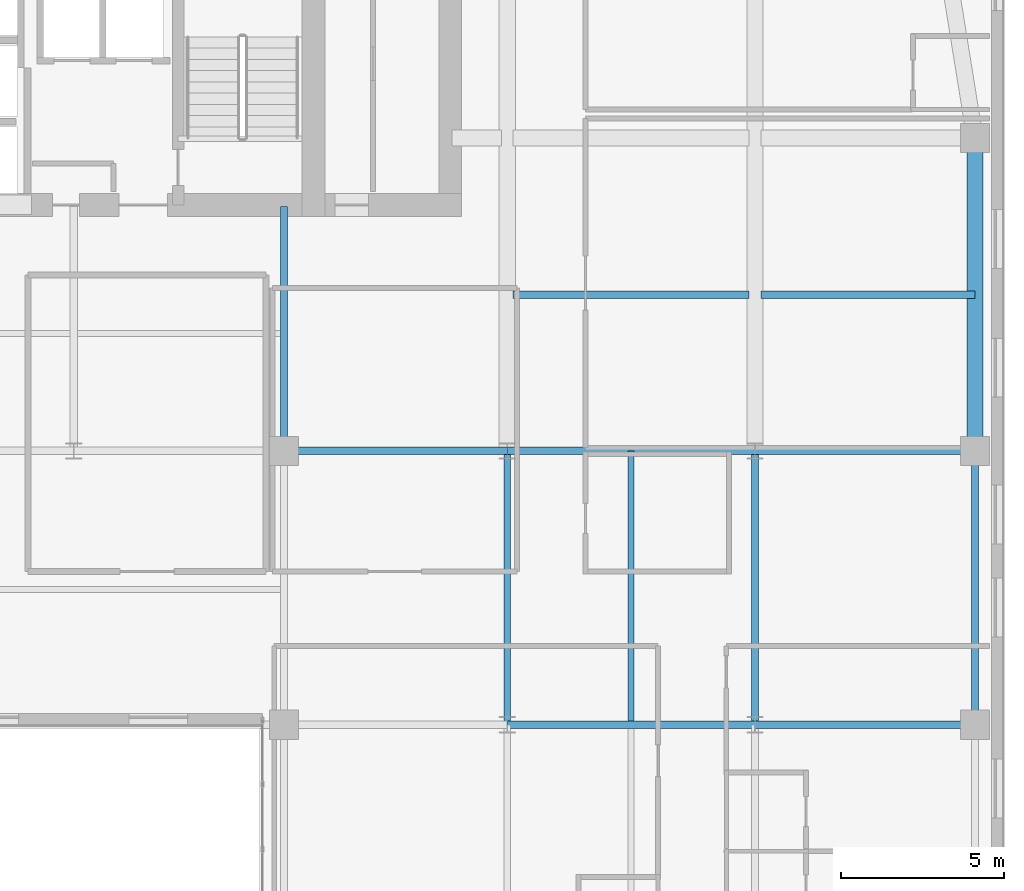
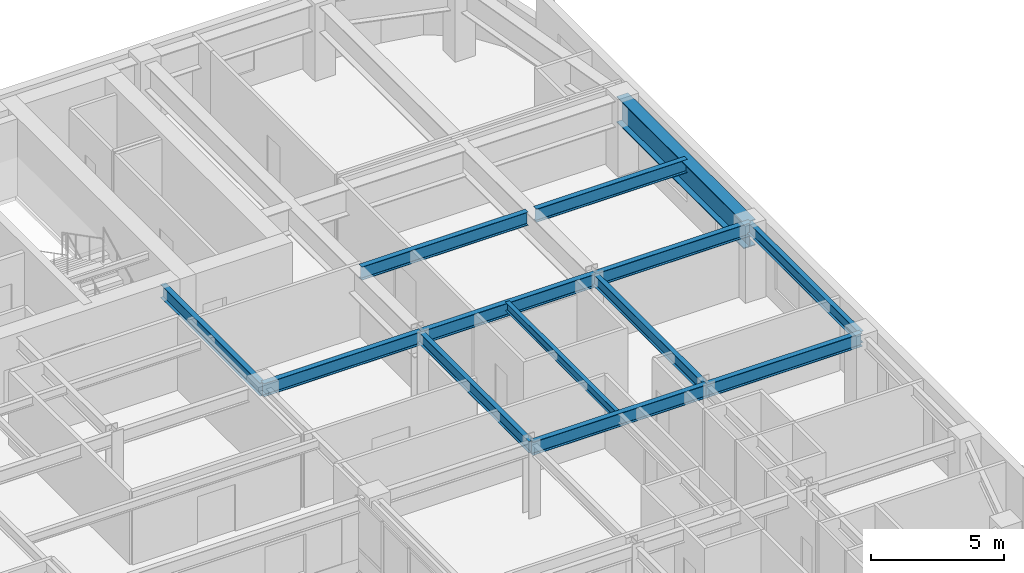
# One storey, part 19 of 37: 13 beams.
"""IFC4 building model written with IfcOpenShell, lengths in metres."""

import ifcopenshell
import ifcopenshell.guid

model = None  # the IFC model being written
_history = None  # IfcOwnerHistory: only IFC2X3 demands one
_inside = {}  # id of a spatial element -> (the spatial element, [elements in it])
_under = {}  # id of a project, library or spatial element -> (it, [spatial elements below it])
_declared = {}  # id of a project -> (the project, [libraries it declares])
_typed = {}  # id of a type object -> (the type object, [elements of that type])
_made_of = {}  # id of a material, layer set ... -> (it, [elements and type objects made of it])


def new_model(schema):
    """Start an empty IFC model of exactly this schema.

    Asked for "IFC4X3", IfcOpenShell would pick the latest addendum, in which some entities
    have other attributes; the version numbers below select the first issue.
    IFC2X3 requires an IfcOwnerHistory on every rooted entity: one is made here for all.
    """
    global model, _history
    if schema == "IFC4X3":
        model = ifcopenshell.file(schema_version=(4, 3, 0, 0))
    else:
        model = ifcopenshell.file(schema=schema)
    _inside.clear()
    _under.clear()
    _declared.clear()
    _typed.clear()
    _made_of.clear()
    _history = None
    if model.schema == "IFC2X3":
        org = make("IfcOrganization", Name="unknown")
        user = make(
            "IfcPersonAndOrganization",
            ThePerson=make("IfcPerson", FamilyName="unknown"),
            TheOrganization=org,
        )
        app = make(
            "IfcApplication",
            ApplicationDeveloper=org,
            Version="unknown",
            ApplicationFullName="unknown",
            ApplicationIdentifier="unknown",
        )
        _history = make(
            "IfcOwnerHistory",
            OwningUser=user,
            OwningApplication=app,
            ChangeAction="ADDED",
            CreationDate=0,
        )
    return model


def make(cls, **values):
    """One entity of the class cls with the attributes given. An attribute that is None is left unset."""
    return model.create_entity(
        cls, **{name: value for name, value in values.items() if value is not None}
    )


def rooted(cls, **values):
    """An entity with a GlobalId (a new one), such as an element, a storey or a relation."""
    return make(cls, GlobalId=ifcopenshell.guid.new(), OwnerHistory=_history, **values)


def si_unit(unit_type, name, prefix=None):
    """IfcSIUnit, for example si_unit("LENGTHUNIT", "METRE", prefix="MILLI")."""
    return make("IfcSIUnit", UnitType=unit_type, Prefix=prefix, Name=name)


def assignment(units):
    """IfcUnitAssignment: the units of a project."""
    return None if units is None else make("IfcUnitAssignment", Units=units)


def point(xyz):
    """IfcCartesianPoint."""
    return None if xyz is None else make("IfcCartesianPoint", Coordinates=xyz)


def direction(xyz):
    """IfcDirection."""
    return None if xyz is None else make("IfcDirection", DirectionRatios=xyz)


def frame(location, z_axis=None, x_axis=None):
    """IfcAxis2Placement3D, a coordinate frame: its origin and axes. An axis left out is left unset."""
    return make(
        "IfcAxis2Placement3D",
        Location=point(location),
        Axis=direction(z_axis),
        RefDirection=direction(x_axis),
    )


def frame_2d(location, x_axis=None):
    """IfcAxis2Placement2D, a coordinate frame in the plane: its origin and x axis."""
    return make(
        "IfcAxis2Placement2D", Location=point(location), RefDirection=direction(x_axis)
    )


def origin():
    """The frame at (0, 0, 0) with its axes left unset."""
    return frame((0.0, 0.0, 0.0))


def origin_2d():
    """The frame at (0, 0) in the plane with its x axis left unset."""
    return frame_2d((0.0, 0.0))


def place(relative_to, where):
    """IfcLocalPlacement: puts the frame where relative to a parent placement (None: the world)."""
    return make(
        "IfcLocalPlacement", PlacementRelTo=relative_to, RelativePlacement=where
    )


def context(
    kind, dimensions, precision=None, world=None, true_north=None, identifier=None
):
    """IfcGeometricRepresentationContext, for example the 3D "Model" context."""
    return make(
        "IfcGeometricRepresentationContext",
        ContextIdentifier=identifier,
        ContextType=kind,
        CoordinateSpaceDimension=dimensions,
        Precision=precision,
        WorldCoordinateSystem=world,
        TrueNorth=true_north,
    )


def subcontext(parent, identifier, kind, view, scale=None):
    """IfcGeometricRepresentationSubContext, for example "Body" below "Model"."""
    return make(
        "IfcGeometricRepresentationSubContext",
        ContextIdentifier=identifier,
        ContextType=kind,
        ParentContext=parent,
        TargetScale=scale,
        TargetView=view,
    )


def project(units=None, contexts=None):
    """IfcProject with its units and contexts."""
    return rooted(
        "IfcProject",
        Name="project",
        RepresentationContexts=contexts,
        UnitsInContext=assignment(units),
    )


def spatial(cls, under=None, at=None, **own):
    """A site, building, storey or space (cls), placed at a placement, below another one or the project."""
    s = rooted(cls, ObjectPlacement=at, **own)
    if under is not None:
        _under.setdefault(under.id(), (under, []))[1].append(s)
    return s


def profile(cls, at=None, kind="AREA", **sizes):
    """A parametric profile (cls). Its sizes go by their IFC names, for example OverallWidth=200.0."""
    return make(cls, ProfileType=kind, Position=at, **sizes)


def i_section(**sizes):
    """IfcIShapeProfileDef."""
    return profile("IfcIShapeProfileDef", **sizes)


def extrude(swept, where, along, depth):
    """IfcExtrudedAreaSolid: the profile swept, set in the frame where, extruded along a direction by depth."""
    return make(
        "IfcExtrudedAreaSolid",
        SweptArea=swept,
        Position=where,
        ExtrudedDirection=direction(along),
        Depth=depth,
    )


def shape(context_of_items, identifier, shape_type, items):
    """IfcShapeRepresentation: the items that make up one representation, for example the "Body"."""
    return make(
        "IfcShapeRepresentation",
        ContextOfItems=context_of_items,
        RepresentationIdentifier=identifier,
        RepresentationType=shape_type,
        Items=items,
    )


def source(mapping_origin, context_of_items, identifier, shape_type, items):
    """IfcRepresentationMap: a shape defined once, which mapped items show again and again."""
    return make(
        "IfcRepresentationMap",
        MappingOrigin=mapping_origin,
        MappedRepresentation=shape(context_of_items, identifier, shape_type, items),
    )


def transform(
    local_origin,
    x_axis=None,
    y_axis=None,
    z_axis=None,
    scale=None,
    scale2=None,
    scale3=None,
    uniform=True,
):
    """IfcCartesianTransformationOperator3D, or its non-uniform kind. x_axis, y_axis, z_axis: its Axis1, 2, 3."""
    if uniform:
        return make(
            "IfcCartesianTransformationOperator3D",
            Axis1=direction(x_axis),
            Axis2=direction(y_axis),
            LocalOrigin=point(local_origin),
            Scale=scale,
            Axis3=direction(z_axis),
        )
    return make(
        "IfcCartesianTransformationOperator3DnonUniform",
        Axis1=direction(x_axis),
        Axis2=direction(y_axis),
        LocalOrigin=point(local_origin),
        Scale=scale,
        Axis3=direction(z_axis),
        Scale2=scale2,
        Scale3=scale3,
    )


def mapped(mapping_source, mapping_target):
    """IfcMappedItem: shows the shape of a source again, moved by a transform."""
    return make(
        "IfcMappedItem", MappingSource=mapping_source, MappingTarget=mapping_target
    )


def material(Name=None, Category=None):
    """IfcMaterial."""
    return make("IfcMaterial", Name=Name, Category=Category)


def material_profile(
    of_material, cross_section, Name=None, Category=None, Priority=None
):
    """IfcMaterialProfile: a cross section and its material."""
    return make(
        "IfcMaterialProfile",
        Name=Name,
        Material=of_material,
        Profile=cross_section,
        Priority=Priority,
        Category=Category,
    )


def profile_set(profiles, Name=None, composite=None):
    """IfcMaterialProfileSet."""
    return make(
        "IfcMaterialProfileSet",
        Name=Name,
        MaterialProfiles=profiles,
        CompositeProfile=composite,
    )


def made_of(thing, what):
    """Note that an element or type object is made of a material, layer set ...; save() writes the relation."""
    if what is not None:
        _made_of.setdefault(what.id(), (what, []))[1].append(thing)
    return thing


def type_object(cls, material=None, **own):
    """A type object (cls), such as IfcWallType, which elements share."""
    return made_of(rooted(cls, **own), material)


def type_shapes(of_type, sources):
    """Give a type object the sources (RepresentationMaps) that its elements show as mapped items."""
    of_type.RepresentationMaps = sources


def element(
    cls,
    number,
    at=None,
    inside=None,
    cuts=None,
    type_object=None,
    material=None,
    context=None,
    identifier="Body",
    shape_type=None,
    held_by="IfcProductDefinitionShape",
    body=None,
    shapes=None,
    **own,
):
    """One element of the class cls, such as IfcWall. Its Tag is "e" and its number.

    at: its placement. inside: the storey or other place that contains it. cuts: it is an
    opening in that element (IfcRelVoidsElement). A single representation is given by context,
    identifier, shape_type and body (its items); several are given by shapes. held_by: the class
    of the entity that holds the representations. save() writes the other relations.
    """
    e = rooted(cls, Tag="e%d" % number, ObjectPlacement=at, **own)
    if body is not None:
        shapes = [shape(context, identifier, shape_type, body)]
    if shapes is not None:
        e.Representation = make(held_by, Representations=shapes)
    if inside is not None:
        _inside.setdefault(inside.id(), (inside, []))[1].append(e)
    if cuts is not None:
        rooted(
            "IfcRelVoidsElement", RelatingBuildingElement=cuts, RelatedOpeningElement=e
        )
    if type_object is not None:
        _typed.setdefault(type_object.id(), (type_object, []))[1].append(e)
    return made_of(e, material)


def aggregate(whole, parts):
    """IfcRelAggregates: a whole, such as a stair, and the parts it consists of."""
    return rooted("IfcRelAggregates", RelatingObject=whole, RelatedObjects=parts)


def save(model, path):
    """Write the relations noted so far, then the file.

    IfcRelAggregates (storeys below a building ...), IfcRelContainedInSpatialStructure (elements
    in a storey), IfcRelDefinesByType, IfcRelAssociatesMaterial and IfcRelDeclares: one each for
    every whole, place, type object, material and project.
    """
    for whole, parts in _under.values():
        aggregate(whole, parts)
    for where, things in _inside.values():
        rooted(
            "IfcRelContainedInSpatialStructure",
            RelatedElements=things,
            RelatingStructure=where,
        )
    for kind, things in _typed.values():
        rooted("IfcRelDefinesByType", RelatedObjects=things, RelatingType=kind)
    for what, things in _made_of.values():
        rooted("IfcRelAssociatesMaterial", RelatedObjects=things, RelatingMaterial=what)
    for by, libraries in _declared.values():
        rooted("IfcRelDeclares", RelatingContext=by, RelatedDefinitions=libraries)
    model.write(path)


model = new_model("IFC4")

# Units and contexts
model_context = context("Model", 3, precision=1e-05, world=origin(), true_north=direction((0.0, 1.0)))
body_context = subcontext(model_context, "Body", "Model", "MODEL_VIEW")
ifc_project = project(units=[si_unit("LENGTHUNIT", "METRE"), si_unit("AREAUNIT", "SQUARE_METRE"), si_unit("VOLUMEUNIT", "CUBIC_METRE"), si_unit("PLANEANGLEUNIT", "RADIAN"), si_unit("MASSUNIT", "GRAM", prefix="KILO")], contexts=[model_context])

# Site, building, storey
site_placement = place(None, origin())
site = spatial("IfcSite", under=ifc_project, at=site_placement, CompositionType="ELEMENT")
building_placement = place(site_placement, origin())
building = spatial("IfcBuilding", under=site, at=building_placement, Name="Tolvann Quenvar Hotel", CompositionType="ELEMENT")
storey_placement = place(building_placement, frame((0.0, 0.0, 104.449951171875)))
storey = spatial("IfcBuildingStorey", under=building, at=storey_placement, Name="L26", CompositionType="ELEMENT", Elevation=104.449951171875)

# Beams
ifc_material = material(Name="Steel Grade 350", Category="steel")
ifc_material_profile_1 = material_profile(ifc_material, i_section(OverallWidth=0.5, OverallDepth=1.199951171875, WebThickness=0.01611328125, FlangeThickness=0.0400390625, at=origin_2d()), Name="1200WB455")
ifc_profile_set_1 = profile_set([ifc_material_profile_1], Name="Steel Grade 350")
beam_type_1 = type_object("IfcBeamType", Name="BM_TG_1200WB455", PredefinedType="USERDEFINED", material=ifc_profile_set_1)
shared_shape_1 = source(origin(), body_context, "Body", "SweptSolid", [
    extrude(i_section(OverallWidth=0.5, OverallDepth=1.199951171875, WebThickness=0.01611328125, FlangeThickness=0.0400390625, at=origin_2d()), origin(), (0.0, 0.0, 1.0), 9.60009765625),
])
type_shapes(beam_type_1, [shared_shape_1])
beam_1_placement = place(storey_placement, frame((56.14990234375, 24.39990234375, 2.77001953125), z_axis=(0.0, 1.0, 0.0), x_axis=(-1.0, 0.0, 0.0)))
element("IfcBeam", 1, at=beam_1_placement, inside=storey, type_object=beam_type_1, Name="BM-L26-FLK-E1", ObjectType="TRANSFER GIRDER", PredefinedType="USERDEFINED", context=body_context, shape_type="MappedRepresentation", body=[
    mapped(shared_shape_1, transform((0.0, 0.0, 0.0), x_axis=(1.0, 0.0, 0.0), y_axis=(0.0, 1.0, 0.0), z_axis=(0.0, 0.0, 1.0), scale=1.0)),
])
ifc_material_profile_2 = material_profile(ifc_material, i_section(OverallWidth=0.22900390625, OverallDepth=0.612060546875, WebThickness=0.011962890625, FlangeThickness=0.01953125, FilletRadius=0.013916015625, at=origin_2d()), Name="610UB125")
ifc_profile_set_2 = profile_set([ifc_material_profile_2], Name="Steel Grade 350")
beam_type_2 = type_object("IfcBeamType", Name="BM_GIRD_610UB125", PredefinedType="BEAM", material=ifc_profile_set_2)
shared_shape_2 = source(origin(), body_context, "Body", "SweptSolid", [
    extrude(i_section(OverallWidth=0.22900390625, OverallDepth=0.612060546875, WebThickness=0.011962890625, FlangeThickness=0.01953125, FilletRadius=0.013916015625, at=origin_2d()), origin(), (0.0, 0.0, 1.0), 6.75),
])
for number, where, z_axis, x_axis, name in (
    (2, (49.39990234375, 16.0, 3.06396484375), (1.0, 0.0, 0.0), (0.0, 1.0, 0.0), "BM-L26-EW-4-I4-J4"),
    (3, (49.39990234375, 24.39990234375, 3.06396484375), (1.0, 0.0, 0.0), (0.0, 1.0, 0.0), "BM-L26-EW-5-I5-J5"),
):
    element("IfcBeam", number, at=place(storey_placement, frame(where, z_axis=z_axis, x_axis=x_axis)), inside=storey, type_object=beam_type_2, Name=name, PredefinedType="BEAM", context=body_context, shape_type="MappedRepresentation", body=[
        mapped(shared_shape_2, transform((0.0, 0.0, 0.0), x_axis=(1.0, 0.0, 0.0), y_axis=(0.0, 1.0, 0.0), z_axis=(0.0, 0.0, 1.0), scale=1.0)),
    ])
shared_shape_3 = source(origin(), body_context, "Body", "SweptSolid", [
    extrude(i_section(OverallWidth=0.22900390625, OverallDepth=0.612060546875, WebThickness=0.011962890625, FlangeThickness=0.01953125, FilletRadius=0.013916015625, at=origin_2d()), origin(), (0.0, 0.0, 1.0), 7.599853515625),
])
for number, where, z_axis, x_axis, name in (
    (4, (41.800048828125, 16.0, 3.06396484375), (1.0, 0.0, 0.0), (0.0, 1.0, 0.0), "BM-L26-EW-4-H4-I4"),
    (5, (41.800048828125, 24.39990234375, 3.06396484375), (1.0, 0.0, 0.0), (0.0, 1.0, 0.0), "BM-L26-EW-5-H5-I5"),
):
    element("IfcBeam", number, at=place(storey_placement, frame(where, z_axis=z_axis, x_axis=x_axis)), inside=storey, type_object=beam_type_2, Name=name, PredefinedType="BEAM", context=body_context, shape_type="MappedRepresentation", body=[
        mapped(shared_shape_3, transform((0.0, 0.0, 0.0), x_axis=(1.0, 0.0, 0.0), y_axis=(0.0, 1.0, 0.0), z_axis=(0.0, 0.0, 1.0), scale=1.0)),
    ])
shared_shape_4 = source(origin(), body_context, "Body", "SweptSolid", [
    extrude(i_section(OverallWidth=0.22900390625, OverallDepth=0.612060546875, WebThickness=0.011962890625, FlangeThickness=0.01953125, FilletRadius=0.013916015625, at=origin_2d()), origin(), (0.0, 0.0, 1.0), 6.85009765625),
])
beam_2_placement = place(storey_placement, frame((34.949951171875, 24.39990234375, 3.06396484375), z_axis=(1.0, 0.0, 0.0), x_axis=(0.0, 1.0, 0.0)))
element("IfcBeam", 6, at=beam_2_placement, inside=storey, type_object=beam_type_2, Name="BM-L26-EW-5-F5-H5", PredefinedType="BEAM", context=body_context, shape_type="MappedRepresentation", body=[
    mapped(shared_shape_4, transform((0.0, 0.0, 0.0), x_axis=(1.0, 0.0, 0.0), y_axis=(0.0, 1.0, 0.0), z_axis=(0.0, 0.0, 1.0), scale=1.0)),
])
ifc_material_profile_3 = material_profile(ifc_material, i_section(OverallWidth=0.208984375, OverallDepth=0.528076171875, WebThickness=0.009521484375, FlangeThickness=0.01318359375, FilletRadius=0.013916015625, at=origin_2d()), Name="530UB82")
ifc_profile_set_3 = profile_set([ifc_material_profile_3], Name="Steel Grade 350")
beam_type_3 = type_object("IfcBeamType", Name="BM_SPAND_530UB82", PredefinedType="SPANDREL", material=ifc_profile_set_3)
shared_shape_5 = source(origin(), body_context, "Body", "SweptSolid", [
    extrude(i_section(OverallWidth=0.208984375, OverallDepth=0.528076171875, WebThickness=0.009521484375, FlangeThickness=0.01318359375, FilletRadius=0.013916015625, at=origin_2d()), origin(), (0.0, 0.0, 1.0), 8.39990234375),
])
type_shapes(beam_type_3, [shared_shape_5])
beam_3_placement = place(storey_placement, frame((56.14990234375, 16.0, 3.10595703125), z_axis=(0.0, 1.0, 0.0), x_axis=(-1.0, 0.0, 0.0)))
element("IfcBeam", 7, at=beam_3_placement, inside=storey, type_object=beam_type_3, Name="BM-L26-NS-J4-J5", PredefinedType="SPANDREL", context=body_context, shape_type="MappedRepresentation", body=[
    mapped(shared_shape_5, transform((0.0, 0.0, 0.0), x_axis=(1.0, 0.0, 0.0), y_axis=(0.0, 1.0, 0.0), z_axis=(0.0, 0.0, 1.0), scale=1.0)),
])
ifc_material_profile_4 = material_profile(ifc_material, i_section(OverallWidth=0.208984375, OverallDepth=0.532958984375, WebThickness=0.01025390625, FlangeThickness=0.015625, FilletRadius=0.013916015625, at=origin_2d()), Name="530UB92")
ifc_profile_set_4 = profile_set([ifc_material_profile_4], Name="Steel Grade 350")
beam_type_4 = type_object("IfcBeamType", Name="BM_GIRD_530UB92", PredefinedType="BEAM", material=ifc_profile_set_4)
shared_shape_6 = source(origin(), body_context, "Body", "SweptSolid", [
    extrude(i_section(OverallWidth=0.208984375, OverallDepth=0.532958984375, WebThickness=0.01025390625, FlangeThickness=0.015625, FilletRadius=0.013916015625, at=origin_2d()), origin(), (0.0, 0.0, 1.0), 8.39990234375),
])
type_shapes(beam_type_4, [shared_shape_6])
for number, where, z_axis, x_axis, name in (
    (8, (41.800048828125, 16.0, 3.103515625), (0.0, 1.0, 0.0), (-1.0, 0.0, 0.0), "BM-L26-NS-H4-H5"),
    (9, (49.39990234375, 16.0, 3.103515625), (0.0, 1.0, 0.0), (-1.0, 0.0, 0.0), "BM-L26-NS-I4-I5"),
):
    element("IfcBeam", number, at=place(storey_placement, frame(where, z_axis=z_axis, x_axis=x_axis)), inside=storey, type_object=beam_type_4, Name=name, PredefinedType="BEAM", context=body_context, shape_type="MappedRepresentation", body=[
        mapped(shared_shape_6, transform((0.0, 0.0, 0.0), x_axis=(1.0, 0.0, 0.0), y_axis=(0.0, 1.0, 0.0), z_axis=(0.0, 0.0, 1.0), scale=1.0)),
    ])
shared_shape_7 = source(origin(), body_context, "Body", "SweptSolid", [
    extrude(i_section(OverallWidth=0.22900390625, OverallDepth=0.612060546875, WebThickness=0.011962890625, FlangeThickness=0.01953125, FilletRadius=0.013916015625, at=origin_2d()), origin(), (0.0, 0.0, 1.0), 7.5),
])
beam_4_placement = place(storey_placement, frame((34.949951171875, 24.39990234375, 3.06396484375), z_axis=(0.0, 1.0, 0.0), x_axis=(-1.0, 0.0, 0.0)))
element("IfcBeam", 10, at=beam_4_placement, inside=storey, type_object=beam_type_2, Name="BM-L26-CORE-F5", PredefinedType="BEAM", context=body_context, shape_type="MappedRepresentation", body=[
    mapped(shared_shape_7, transform((0.0, 0.0, 0.0), x_axis=(1.0, 0.0, 0.0), y_axis=(0.0, 1.0, 0.0), z_axis=(0.0, 0.0, 1.0), scale=1.0)),
])
shared_shape_8 = source(origin(), body_context, "Body", "SweptSolid", [
    extrude(i_section(OverallWidth=0.22900390625, OverallDepth=0.612060546875, WebThickness=0.011962890625, FlangeThickness=0.01953125, FilletRadius=0.013916015625, at=origin_2d()), origin(), (0.0, 0.0, 1.0), 7.239990234375),
])
beam_5_placement = place(storey_placement, frame((41.97998046875, 29.199951171875, 3.06396484375), z_axis=(1.0, 0.0, 0.0), x_axis=(0.0, 1.0, 0.0)))
element("IfcBeam", 11, at=beam_5_placement, inside=storey, type_object=beam_type_2, Name="BM-L26-EW-HI29", PredefinedType="BEAM", context=body_context, shape_type="MappedRepresentation", body=[
    mapped(shared_shape_8, transform((0.0, 0.0, 0.0), x_axis=(1.0, 0.0, 0.0), y_axis=(0.0, 1.0, 0.0), z_axis=(0.0, 0.0, 1.0), scale=1.0)),
])
shared_shape_9 = source(origin(), body_context, "Body", "SweptSolid", [
    extrude(i_section(OverallWidth=0.22900390625, OverallDepth=0.612060546875, WebThickness=0.011962890625, FlangeThickness=0.01953125, FilletRadius=0.013916015625, at=origin_2d()), origin(), (0.0, 0.0, 1.0), 6.56982421875),
])
type_shapes(beam_type_2, [shared_shape_2, shared_shape_3, shared_shape_4, shared_shape_7, shared_shape_8, shared_shape_9])
beam_6_placement = place(storey_placement, frame((49.580078125, 29.199951171875, 3.06396484375), z_axis=(1.0, 0.0, 0.0), x_axis=(0.0, 1.0, 0.0)))
element("IfcBeam", 12, at=beam_6_placement, inside=storey, type_object=beam_type_2, Name="BM-L26-EW-IJ29", PredefinedType="BEAM", context=body_context, shape_type="MappedRepresentation", body=[
    mapped(shared_shape_9, transform((0.0, 0.0, 0.0), x_axis=(1.0, 0.0, 0.0), y_axis=(0.0, 1.0, 0.0), z_axis=(0.0, 0.0, 1.0), scale=1.0)),
])
ifc_material_profile_5 = material_profile(ifc_material, i_section(OverallWidth=0.177978515625, OverallDepth=0.406005859375, WebThickness=0.0078125, FlangeThickness=0.0126953125, FilletRadius=0.011474609375, at=origin_2d()), Name="410UB60")
ifc_profile_set_5 = profile_set([ifc_material_profile_5], Name="Steel Grade 350")
beam_type_5 = type_object("IfcBeamType", Name="BM_JOIST_410UB60", PredefinedType="JOIST", material=ifc_profile_set_5)
shared_shape_10 = source(origin(), body_context, "Body", "SweptSolid", [
    extrude(i_section(OverallWidth=0.177978515625, OverallDepth=0.406005859375, WebThickness=0.0078125, FlangeThickness=0.0126953125, FilletRadius=0.011474609375, at=origin_2d()), origin(), (0.0, 0.0, 1.0), 8.29150390625),
])
type_shapes(beam_type_5, [shared_shape_10])
beam_7_placement = place(storey_placement, frame((45.60009765625, 16.1083984375, 3.1669921875), z_axis=(0.0, 1.0, 0.0), x_axis=(-1.0, 0.0, 0.0)))
element("IfcBeam", 13, at=beam_7_placement, inside=storey, type_object=beam_type_5, Name="BJ-L26-456-160", PredefinedType="JOIST", context=body_context, shape_type="MappedRepresentation", body=[
    mapped(shared_shape_10, transform((0.0, 0.0, 0.0), x_axis=(1.0, 0.0, 0.0), y_axis=(0.0, 1.0, 0.0), z_axis=(0.0, 0.0, 1.0), scale=1.0)),
])

save(model, "model.ifc")
